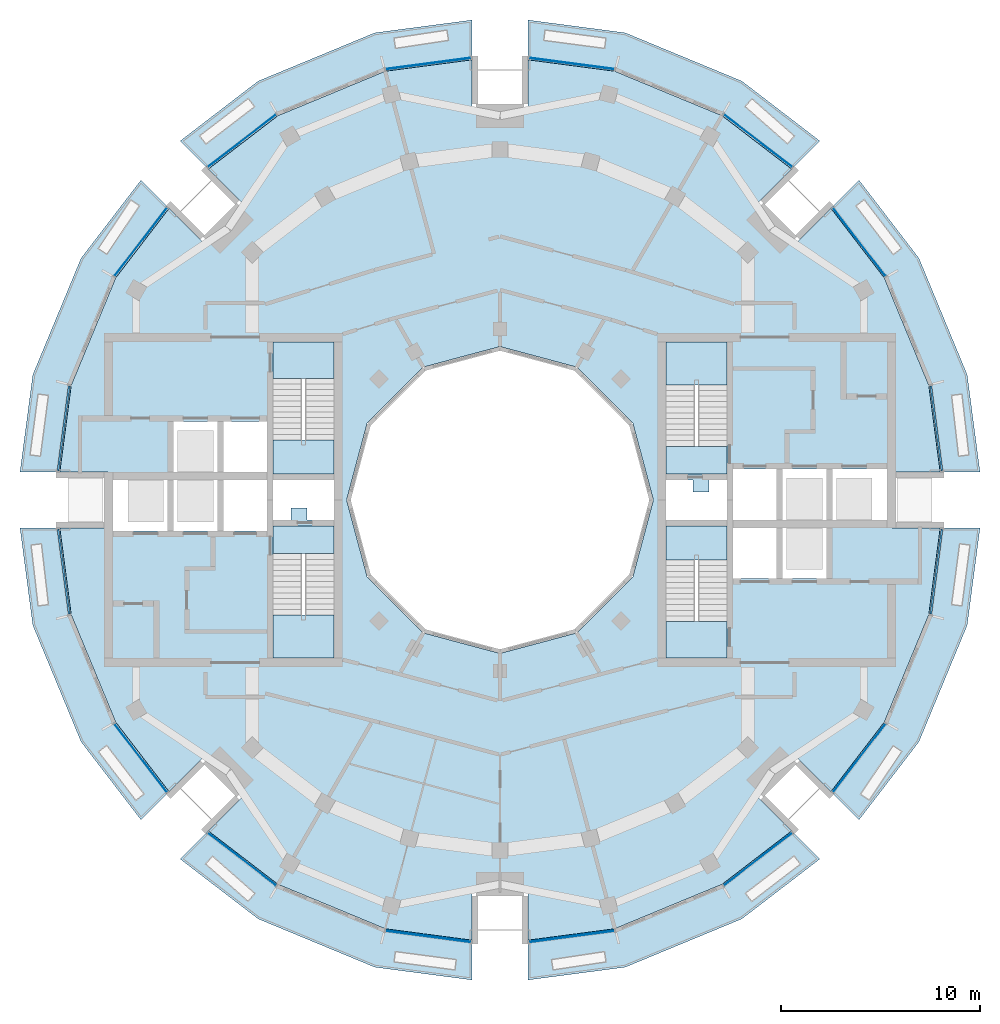
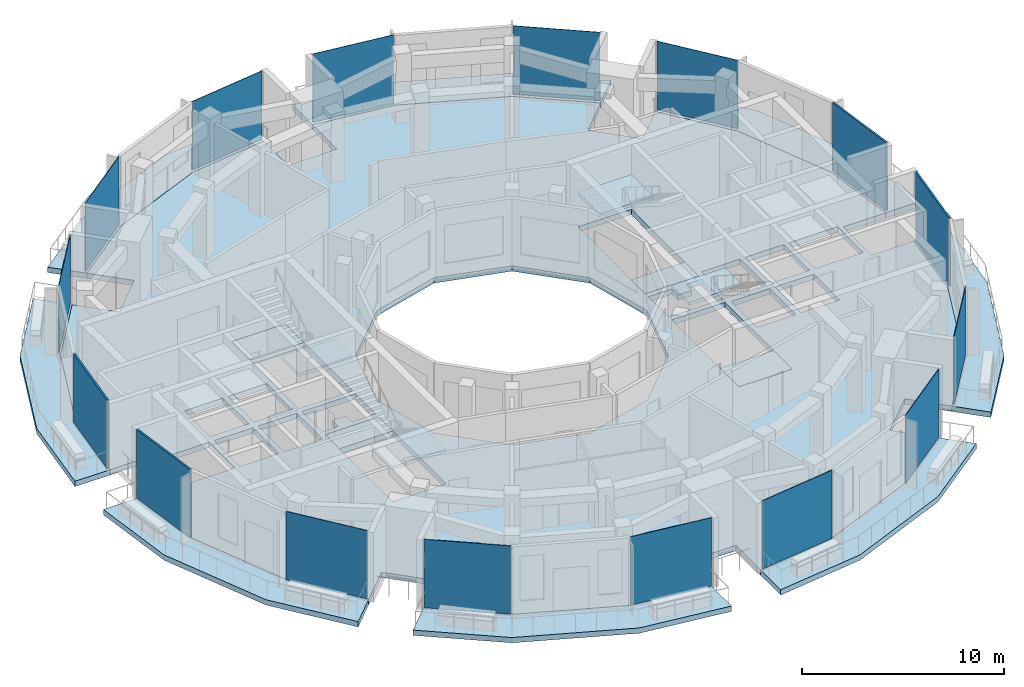
# One storey, part 7 of 16: 17 slabs, 16 plates, 20 elements without a shape of their own.
"""IFC4 building model written with IfcOpenShell, lengths in metres."""

from ifc_helpers import new_model, si_unit, direction, frame, origin, origin_2d, place, context, subcontext, project, spatial, polyline, rectangle, outline, extrude, material, layer, layer_set, type_object, element, aggregate, save


model = new_model("IFC4")

# Units and contexts
model_context = context("Model", 3, precision=1e-05, world=origin(), true_north=direction((0.0, 1.0)))
body_context = subcontext(model_context, "Body", "Model", "MODEL_VIEW")
ifc_project = project(units=[si_unit("LENGTHUNIT", "METRE"), si_unit("AREAUNIT", "SQUARE_METRE"), si_unit("VOLUMEUNIT", "CUBIC_METRE"), si_unit("PLANEANGLEUNIT", "RADIAN"), si_unit("MASSUNIT", "GRAM", prefix="KILO")], contexts=[model_context])

# Site, building, storey
site_placement = place(None, origin())
site = spatial("IfcSite", under=ifc_project, at=site_placement, CompositionType="ELEMENT")
building_placement = place(site_placement, origin())
building = spatial("IfcBuilding", under=site, at=building_placement, Name="Torre Brocal", CompositionType="ELEMENT")
storey_placement = place(building_placement, frame((0.0, 0.0, 292.5)))
storey = spatial("IfcBuildingStorey", under=building, at=storey_placement, Name="L67", CompositionType="ELEMENT", Elevation=292.5)

# Curtain wall, plate
ifc_material_1 = material(Name="Aluminium and glass", Category="aluminium")
ifc_layer_1 = layer(ifc_material_1, 0.199951171875)
ifc_layer_set_1 = layer_set([ifc_layer_1], Name="Aluminium and glass")
curtain_wall_type_1 = type_object("IfcCurtainWallType", Name="CW-1 CURTAIN WALL 4200 HIGH", PredefinedType="NOTDEFINED", material=ifc_layer_set_1)
curtain_wall_1_placement = place(storey_placement, origin())
curtain_wall_1 = element("IfcCurtainWall", 1, at=curtain_wall_1_placement, inside=storey, type_object=curtain_wall_type_1, Name="CW-1 RUN 3", PredefinedType="NOTDEFINED")
ifc_material_2 = material(Name="Glass, dark tinted laminated", Category="glass")
ifc_layer_2 = layer(ifc_material_2, 0.031982421875)
ifc_layer_set_2 = layer_set([ifc_layer_2], Name="Glass, dark tinted laminated")
plate_type_1 = type_object("IfcPlateType", Name="CW-1 GLASS PANEL 32", PredefinedType="CURTAIN_PANEL", material=ifc_layer_set_2)
plate_1_placement = place(storey_placement, frame((98.048095703125, 87.958984375, 0.079833984375), z_axis=(0.0, 0.0, 1.0), x_axis=(-0.608761429064, 0.793353340249, 0.0)))
plate_1 = element("IfcPlate", 2, at=plate_1_placement, type_object=plate_type_1, Name="CW1-5 panel 1.1", PredefinedType="CURTAIN_PANEL", context=body_context, shape_type="SweptSolid", body=[
    extrude(rectangle(XDim=4.315185546875, YDim=0.031982421875, at=origin_2d()), origin(), (0.0, 0.0, 1.0), 4.1201171875),
])
aggregate(curtain_wall_1, [plate_1])

curtain_wall_2_placement = place(storey_placement, origin())
curtain_wall_2 = element("IfcCurtainWall", 3, at=curtain_wall_2_placement, inside=storey, type_object=curtain_wall_type_1, Name="CW-1 RUN 4", PredefinedType="NOTDEFINED")
plate_2_placement = place(storey_placement, frame((92.958984375, 93.048095703125, 0.079833984375), z_axis=(0.0, 0.0, 1.0), x_axis=(-0.793353340249, 0.608761429064, 0.0)))
plate_2 = element("IfcPlate", 4, at=plate_2_placement, type_object=plate_type_1, Name="CW1-5 panel 1.1", PredefinedType="CURTAIN_PANEL", context=body_context, shape_type="SweptSolid", body=[
    extrude(rectangle(XDim=4.315185546875, YDim=0.031982421875, at=origin_2d()), origin(), (0.0, 0.0, 1.0), 4.1201171875),
])
aggregate(curtain_wall_2, [plate_2])

curtain_wall_3_placement = place(storey_placement, origin())
curtain_wall_3 = element("IfcCurtainWall", 5, at=curtain_wall_3_placement, inside=storey, type_object=curtain_wall_type_1, Name="CW-1 RUN 6", PredefinedType="NOTDEFINED")
plate_3_placement = place(storey_placement, frame((83.5986328125, 96.92529296875, 0.079833984375), z_axis=(0.0, 0.0, 1.0), x_axis=(-0.991444861374, 0.13052619222, 0.0)))
plate_3 = element("IfcPlate", 6, at=plate_3_placement, type_object=plate_type_1, Name="CW1-5 panel 1.1", PredefinedType="CURTAIN_PANEL", context=body_context, shape_type="SweptSolid", body=[
    extrude(rectangle(XDim=4.315185546875, YDim=0.031982421875, at=origin_2d()), origin(), (0.0, 0.0, 1.0), 4.1201171875),
])
aggregate(curtain_wall_3, [plate_3])

curtain_wall_4_placement = place(storey_placement, origin())
curtain_wall_4 = element("IfcCurtainWall", 7, at=curtain_wall_4_placement, inside=storey, type_object=curtain_wall_type_1, Name="CW-1 RUN 7", PredefinedType="NOTDEFINED")
plate_4_placement = place(storey_placement, frame((76.4013671875, 96.92529296875, 0.079833984375), z_axis=(0.0, 0.0, 1.0), x_axis=(-0.991444861374, -0.13052619222, 0.0)))
plate_4 = element("IfcPlate", 8, at=plate_4_placement, type_object=plate_type_1, Name="CW1-5 panel 1.1", PredefinedType="CURTAIN_PANEL", context=body_context, shape_type="SweptSolid", body=[
    extrude(rectangle(XDim=4.315185546875, YDim=0.031982421875, at=origin_2d()), origin(), (0.0, 0.0, 1.0), 4.1201171875),
])
aggregate(curtain_wall_4, [plate_4])

curtain_wall_5_placement = place(storey_placement, origin())
curtain_wall_5 = element("IfcCurtainWall", 9, at=curtain_wall_5_placement, inside=storey, type_object=curtain_wall_type_1, Name="CW-1 RUN 9", PredefinedType="NOTDEFINED")
plate_5_placement = place(storey_placement, frame((67.041015625, 93.048095703125, 0.079833984375), z_axis=(0.0, 0.0, 1.0), x_axis=(-0.793353340249, -0.608761429064, 0.0)))
plate_5 = element("IfcPlate", 10, at=plate_5_placement, type_object=plate_type_1, Name="CW1-5 panel 1.1", PredefinedType="CURTAIN_PANEL", context=body_context, shape_type="SweptSolid", body=[
    extrude(rectangle(XDim=4.315185546875, YDim=0.031982421875, at=origin_2d()), origin(), (0.0, 0.0, 1.0), 4.1201171875),
])
aggregate(curtain_wall_5, [plate_5])

curtain_wall_6_placement = place(storey_placement, origin())
curtain_wall_6 = element("IfcCurtainWall", 11, at=curtain_wall_6_placement, inside=storey, type_object=curtain_wall_type_1, Name="CW-1 RUN 10", PredefinedType="NOTDEFINED")
plate_6_placement = place(storey_placement, frame((61.951904296875, 87.958984375, 0.079833984375), z_axis=(0.0, 0.0, 1.0), x_axis=(-0.608761429064, -0.793353340249, 0.0)))
plate_6 = element("IfcPlate", 12, at=plate_6_placement, type_object=plate_type_1, Name="CW1-5 panel 1.1", PredefinedType="CURTAIN_PANEL", context=body_context, shape_type="SweptSolid", body=[
    extrude(rectangle(XDim=4.315185546875, YDim=0.031982421875, at=origin_2d()), origin(), (0.0, 0.0, 1.0), 4.1201171875),
])
aggregate(curtain_wall_6, [plate_6])

curtain_wall_7_placement = place(storey_placement, origin())
curtain_wall_7 = element("IfcCurtainWall", 13, at=curtain_wall_7_placement, inside=storey, type_object=curtain_wall_type_1, Name="CW-1 RUN 15", PredefinedType="NOTDEFINED")
plate_7_placement = place(storey_placement, frame((61.951904296875, 62.041015625, 0.079833984375), z_axis=(0.0, 0.0, 1.0), x_axis=(0.608761429064, -0.793353340249, 0.0)))
plate_7 = element("IfcPlate", 14, at=plate_7_placement, type_object=plate_type_1, Name="CW1-5 panel 1.1", PredefinedType="CURTAIN_PANEL", context=body_context, shape_type="SweptSolid", body=[
    extrude(rectangle(XDim=4.315185546875, YDim=0.031982421875, at=origin_2d()), origin(), (0.0, 0.0, 1.0), 4.1201171875),
])
aggregate(curtain_wall_7, [plate_7])

curtain_wall_8_placement = place(storey_placement, origin())
curtain_wall_8 = element("IfcCurtainWall", 15, at=curtain_wall_8_placement, inside=storey, type_object=curtain_wall_type_1, Name="CW-1 RUN 16", PredefinedType="NOTDEFINED")
plate_8_placement = place(storey_placement, frame((67.041015625, 56.951904296875, 0.079833984375), z_axis=(0.0, 0.0, 1.0), x_axis=(0.793353340249, -0.608761429064, 0.0)))
plate_8 = element("IfcPlate", 16, at=plate_8_placement, type_object=plate_type_1, Name="CW1-5 panel 1.1", PredefinedType="CURTAIN_PANEL", context=body_context, shape_type="SweptSolid", body=[
    extrude(rectangle(XDim=4.315185546875, YDim=0.031982421875, at=origin_2d()), origin(), (0.0, 0.0, 1.0), 4.1201171875),
])
aggregate(curtain_wall_8, [plate_8])

curtain_wall_9_placement = place(storey_placement, origin())
curtain_wall_9 = element("IfcCurtainWall", 17, at=curtain_wall_9_placement, inside=storey, type_object=curtain_wall_type_1, Name="CW-1 RUN 18", PredefinedType="NOTDEFINED")
plate_9_placement = place(storey_placement, frame((76.4013671875, 53.07470703125, 0.079833984375), z_axis=(0.0, 0.0, 1.0), x_axis=(0.991444861374, -0.13052619222, 0.0)))
plate_9 = element("IfcPlate", 18, at=plate_9_placement, type_object=plate_type_1, Name="CW1-5 panel 1.1", PredefinedType="CURTAIN_PANEL", context=body_context, shape_type="SweptSolid", body=[
    extrude(rectangle(XDim=4.315185546875, YDim=0.031982421875, at=origin_2d()), origin(), (0.0, 0.0, 1.0), 4.1201171875),
])
aggregate(curtain_wall_9, [plate_9])

curtain_wall_10_placement = place(storey_placement, origin())
curtain_wall_10 = element("IfcCurtainWall", 19, at=curtain_wall_10_placement, inside=storey, type_object=curtain_wall_type_1, Name="CW-1 RUN 19", PredefinedType="NOTDEFINED")
plate_10_placement = place(storey_placement, frame((83.5986328125, 53.07470703125, 0.079833984375), z_axis=(0.0, 0.0, 1.0), x_axis=(0.991444861374, 0.13052619222, 0.0)))
plate_10 = element("IfcPlate", 20, at=plate_10_placement, type_object=plate_type_1, Name="CW1-5 panel 1.1", PredefinedType="CURTAIN_PANEL", context=body_context, shape_type="SweptSolid", body=[
    extrude(rectangle(XDim=4.315185546875, YDim=0.031982421875, at=origin_2d()), origin(), (0.0, 0.0, 1.0), 4.1201171875),
])
aggregate(curtain_wall_10, [plate_10])

curtain_wall_11_placement = place(storey_placement, origin())
curtain_wall_11 = element("IfcCurtainWall", 21, at=curtain_wall_11_placement, inside=storey, type_object=curtain_wall_type_1, Name="CW-1 RUN 21", PredefinedType="NOTDEFINED")
plate_11_placement = place(storey_placement, frame((92.958984375, 56.951904296875, 0.079833984375), z_axis=(0.0, 0.0, 1.0), x_axis=(0.793353340249, 0.608761429064, 0.0)))
plate_11 = element("IfcPlate", 22, at=plate_11_placement, type_object=plate_type_1, Name="CW1-5 panel 1.1", PredefinedType="CURTAIN_PANEL", context=body_context, shape_type="SweptSolid", body=[
    extrude(rectangle(XDim=4.315185546875, YDim=0.031982421875, at=origin_2d()), origin(), (0.0, 0.0, 1.0), 4.1201171875),
])
aggregate(curtain_wall_11, [plate_11])

curtain_wall_12_placement = place(storey_placement, origin())
curtain_wall_12 = element("IfcCurtainWall", 23, at=curtain_wall_12_placement, inside=storey, type_object=curtain_wall_type_1, Name="CW-1 RUN 22", PredefinedType="NOTDEFINED")
plate_12_placement = place(storey_placement, frame((98.048095703125, 62.041015625, 0.079833984375), z_axis=(0.0, 0.0, 1.0), x_axis=(0.608761429064, 0.793353340249, 0.0)))
plate_12 = element("IfcPlate", 24, at=plate_12_placement, type_object=plate_type_1, Name="CW1-5 panel 1.1", PredefinedType="CURTAIN_PANEL", context=body_context, shape_type="SweptSolid", body=[
    extrude(rectangle(XDim=4.315185546875, YDim=0.031982421875, at=origin_2d()), origin(), (0.0, 0.0, 1.0), 4.1201171875),
])
aggregate(curtain_wall_12, [plate_12])

ifc_material_3 = material(Name="Aluminium and glass", Category="aluminium")
ifc_layer_3 = layer(ifc_material_3, 0.199951171875)
ifc_layer_set_3 = layer_set([ifc_layer_3], Name="Aluminium and glass")
curtain_wall_type_2 = type_object("IfcCurtainWallType", Name="CW-1B CURTAIN WALL 4200 HIGH", PredefinedType="NOTDEFINED", material=ifc_layer_set_3)
curtain_wall_13_placement = place(storey_placement, origin())
curtain_wall_13 = element("IfcCurtainWall", 25, at=curtain_wall_13_placement, inside=storey, type_object=curtain_wall_type_2, Name="CW-1B RUN 1", PredefinedType="NOTDEFINED")
ifc_material_4 = material(Name="Aluminium composite panel", Category="aluminium")
ifc_layer_4 = layer(ifc_material_4, 0.10009765625)
ifc_layer_set_4 = layer_set([ifc_layer_4], Name="Aluminium composite panel")
plate_type_2 = type_object("IfcPlateType", Name="CW-1B OPAQUE PANEL 100", PredefinedType="CURTAIN_PANEL", material=ifc_layer_set_4)
plate_13_placement = place(storey_placement, frame((101.92529296875, 78.5986328125, 0.079833984375), z_axis=(0.0, 0.0, 1.0), x_axis=(-0.13052619222, 0.991444861374, 0.0)))
plate_13 = element("IfcPlate", 26, at=plate_13_placement, type_object=plate_type_2, Name="CW1B-5 panel 1.1", PredefinedType="CURTAIN_PANEL", context=body_context, shape_type="SweptSolid", body=[
    extrude(rectangle(XDim=4.315185546875, YDim=0.10009765625, at=origin_2d()), origin(), (0.0, 0.0, 1.0), 4.1201171875),
])
aggregate(curtain_wall_13, [plate_13])

curtain_wall_14_placement = place(storey_placement, origin())
curtain_wall_14 = element("IfcCurtainWall", 27, at=curtain_wall_14_placement, inside=storey, type_object=curtain_wall_type_2, Name="CW-1B RUN 12", PredefinedType="NOTDEFINED")
plate_14_placement = place(storey_placement, frame((58.07470703125, 78.5986328125, 0.079833984375), z_axis=(0.0, 0.0, 1.0), x_axis=(-0.13052619222, -0.991444861374, 0.0)))
plate_14 = element("IfcPlate", 28, at=plate_14_placement, type_object=plate_type_2, Name="CW1B-5 panel 1.1", PredefinedType="CURTAIN_PANEL", context=body_context, shape_type="SweptSolid", body=[
    extrude(rectangle(XDim=4.315185546875, YDim=0.10009765625, at=origin_2d()), origin(), (0.0, 0.0, 1.0), 4.1201171875),
])
aggregate(curtain_wall_14, [plate_14])

curtain_wall_15_placement = place(storey_placement, origin())
curtain_wall_15 = element("IfcCurtainWall", 29, at=curtain_wall_15_placement, inside=storey, type_object=curtain_wall_type_2, Name="CW-1B RUN 13", PredefinedType="NOTDEFINED")
plate_15_placement = place(storey_placement, frame((58.07470703125, 71.4013671875, 0.079833984375), z_axis=(0.0, 0.0, 1.0), x_axis=(0.13052619222, -0.991444861374, 0.0)))
plate_15 = element("IfcPlate", 30, at=plate_15_placement, type_object=plate_type_2, Name="CW1B-5 panel 1.1", PredefinedType="CURTAIN_PANEL", context=body_context, shape_type="SweptSolid", body=[
    extrude(rectangle(XDim=4.315185546875, YDim=0.10009765625, at=origin_2d()), origin(), (0.0, 0.0, 1.0), 4.1201171875),
])
aggregate(curtain_wall_15, [plate_15])

curtain_wall_16_placement = place(storey_placement, origin())
curtain_wall_16 = element("IfcCurtainWall", 31, at=curtain_wall_16_placement, inside=storey, type_object=curtain_wall_type_2, Name="CW-1B RUN 24", PredefinedType="NOTDEFINED")
plate_16_placement = place(storey_placement, frame((101.92529296875, 71.4013671875, 0.079833984375), z_axis=(0.0, 0.0, 1.0), x_axis=(0.13052619222, 0.991444861374, 0.0)))
plate_16 = element("IfcPlate", 32, at=plate_16_placement, type_object=plate_type_2, Name="CW1B-5 panel 1.1", PredefinedType="CURTAIN_PANEL", context=body_context, shape_type="SweptSolid", body=[
    extrude(rectangle(XDim=4.315185546875, YDim=0.10009765625, at=origin_2d()), origin(), (0.0, 0.0, 1.0), 4.1201171875),
])
aggregate(curtain_wall_16, [plate_16])

# Stair, slab
ifc_material_5 = material(Name="Concrete C50", Category="concrete")
stair_type = type_object("IfcStairType", Name="EXIT STAIR", PredefinedType="HALF_TURN_STAIR", material=ifc_material_5)
stair_1_placement = place(storey_placement, origin())
stair_1 = element("IfcStair", 33, at=stair_1_placement, inside=storey, type_object=stair_type, Name="EXIT STAIR ST1", PredefinedType="HALF_TURN_STAIR")
ifc_material_6 = material(Name="Concrete C50", Category="concrete")
ifc_layer_5 = layer(ifc_material_6, 0.320068359375)
ifc_layer_set_5 = layer_set([ifc_layer_5], Name="Concrete C50")
slab_type_1 = type_object("IfcSlabType", Name="FLOOR LANDING 320", PredefinedType="LANDING", material=ifc_layer_set_5)
slab_1_placement = place(storey_placement, frame((0.0, 0.0, -0.320068359375)))
slab_1 = element("IfcSlab", 34, at=slab_1_placement, type_object=slab_type_1, Name="ST1 landing 1", PredefinedType="LANDING", context=body_context, shape_type="SweptSolid", body=[
    extrude(outline(polyline([(88.35009765625, 76.300048828125), (91.39990234375, 76.300048828125), (91.39990234375, 77.699951171875), (88.35009765625, 77.699951171875), (88.35009765625, 76.300048828125)])), origin(), (0.0, 0.0, 1.0), 0.320068359375),
])

stair_2_placement = place(storey_placement, origin())
stair_2 = element("IfcStair", 35, at=stair_2_placement, inside=storey, type_object=stair_type, Name="EXIT STAIR ST2", PredefinedType="HALF_TURN_STAIR")
slab_2_placement = place(storey_placement, frame((0.0, 0.0, -0.320068359375)))
slab_2 = element("IfcSlab", 36, at=slab_2_placement, type_object=slab_type_1, Name="ST2 landing 1", PredefinedType="LANDING", context=body_context, shape_type="SweptSolid", body=[
    extrude(outline(polyline([(88.35009765625, 67.050048828125), (91.39990234375, 67.050048828125), (91.39990234375, 68.89990234375), (88.35009765625, 68.89990234375), (88.35009765625, 67.050048828125)])), origin(), (0.0, 0.0, 1.0), 0.320068359375),
])

stair_3_placement = place(storey_placement, origin())
stair_3 = element("IfcStair", 37, at=stair_3_placement, inside=storey, type_object=stair_type, Name="EXIT STAIR ST3", PredefinedType="HALF_TURN_STAIR")
slab_3_placement = place(storey_placement, frame((0.0, 0.0, -0.320068359375)))
slab_3 = element("IfcSlab", 38, at=slab_3_placement, type_object=slab_type_1, Name="ST3 landing 1", PredefinedType="LANDING", context=body_context, shape_type="SweptSolid", body=[
    extrude(outline(polyline([(71.64990234375, 73.699951171875), (68.60009765625, 73.699951171875), (68.60009765625, 72.300048828125), (71.64990234375, 72.300048828125), (71.64990234375, 73.699951171875)])), origin(), (0.0, 0.0, 1.0), 0.320068359375),
])

stair_4_placement = place(storey_placement, origin())
stair_4 = element("IfcStair", 39, at=stair_4_placement, inside=storey, type_object=stair_type, Name="EXIT STAIR ST4", PredefinedType="HALF_TURN_STAIR")
slab_4_placement = place(storey_placement, frame((0.0, 0.0, -0.320068359375)))
slab_4 = element("IfcSlab", 40, at=slab_4_placement, type_object=slab_type_1, Name="ST4 landing 1", PredefinedType="LANDING", context=body_context, shape_type="SweptSolid", body=[
    extrude(outline(polyline([(71.64990234375, 82.949951171875), (68.60009765625, 82.949951171875), (68.60009765625, 81.10009765625), (71.64990234375, 81.10009765625), (71.64990234375, 82.949951171875)])), origin(), (0.0, 0.0, 1.0), 0.320068359375),
])

# Slab
ifc_material_7 = material(Name="Concrete C50", Category="concrete")
ifc_layer_6 = layer(ifc_material_7, 0.199951171875)
ifc_layer_set_6 = layer_set([ifc_layer_6], Name="Concrete C50")
slab_type_2 = type_object("IfcSlabType", Name="MID LANDING +2100", PredefinedType="LANDING", material=ifc_layer_set_6)
slab_5_placement = place(storey_placement, frame((0.0, 0.0, 1.89990234375)))
slab_5 = element("IfcSlab", 41, at=slab_5_placement, type_object=slab_type_2, Name="ST1 landing 2", PredefinedType="LANDING", context=body_context, shape_type="SweptSolid", body=[
    extrude(outline(polyline([(88.35009765625, 80.780029296875), (91.39990234375, 80.780029296875), (91.39990234375, 82.949951171875), (88.35009765625, 82.949951171875), (88.35009765625, 80.780029296875)])), origin(), (0.0, 0.0, 1.0), 0.2001953125),
])

aggregate(stair_1, [slab_1, slab_5])

slab_6_placement = place(storey_placement, frame((0.0, 0.0, 1.89990234375)))
slab_6 = element("IfcSlab", 42, at=slab_6_placement, type_object=slab_type_2, Name="ST2 landing 2", PredefinedType="LANDING", context=body_context, shape_type="SweptSolid", body=[
    extrude(outline(polyline([(88.35009765625, 71.97998046875), (91.39990234375, 71.97998046875), (91.39990234375, 73.699951171875), (88.35009765625, 73.699951171875), (88.35009765625, 71.97998046875)])), origin(), (0.0, 0.0, 1.0), 0.2001953125),
])

aggregate(stair_2, [slab_2, slab_6])

slab_7_placement = place(storey_placement, frame((0.0, 0.0, 1.89990234375)))
slab_7 = element("IfcSlab", 43, at=slab_7_placement, type_object=slab_type_2, Name="ST3 landing 2", PredefinedType="LANDING", context=body_context, shape_type="SweptSolid", body=[
    extrude(outline(polyline([(71.64990234375, 69.219970703125), (68.60009765625, 69.219970703125), (68.60009765625, 67.050048828125), (71.64990234375, 67.050048828125), (71.64990234375, 69.219970703125)])), origin(), (0.0, 0.0, 1.0), 0.2001953125),
])

aggregate(stair_3, [slab_3, slab_7])

slab_8_placement = place(storey_placement, frame((0.0, 0.0, 1.89990234375)))
slab_8 = element("IfcSlab", 44, at=slab_8_placement, type_object=slab_type_2, Name="ST4 landing 2", PredefinedType="LANDING", context=body_context, shape_type="SweptSolid", body=[
    extrude(outline(polyline([(71.64990234375, 78.02001953125), (68.60009765625, 78.02001953125), (68.60009765625, 76.300048828125), (71.64990234375, 76.300048828125), (71.64990234375, 78.02001953125)])), origin(), (0.0, 0.0, 1.0), 0.2001953125),
])

aggregate(stair_4, [slab_4, slab_8])

# Slabs
ifc_material_8 = material(Name="Concrete C45", Category="concrete")
ifc_layer_7 = layer(ifc_material_8, 0.320068359375)
ifc_layer_set_7 = layer_set([ifc_layer_7], Name="Concrete C45")
slab_type_3 = type_object("IfcSlabType", Name="PT FLOOR SLAB 320 C45", PredefinedType="FLOOR", material=ifc_layer_set_7)
slab_9_placement = place(storey_placement, frame((0.0, 0.0, -0.320068359375)))
element("IfcSlab", 45, at=slab_9_placement, inside=storey, type_object=slab_type_3, Name="Slab ST-05", PredefinedType="FLOOR", context=body_context, shape_type="SweptSolid", body=[
    extrude(outline(polyline([(99.699951171875, 76.39990234375), (99.699951171875, 73.60009765625), (102.114013671875, 73.60009765625), (101.53857421875, 69.228759765625), (99.310791015625, 63.850830078125), (96.626953125, 60.35302734375), (94.919921875, 62.06005859375), (92.93994140625, 60.080078125), (94.64697265625, 58.373046875), (91.149169921875, 55.689208984375), (85.771240234375, 53.46142578125), (81.39990234375, 52.885986328125), (81.39990234375, 55.300048828125), (78.60009765625, 55.300048828125), (78.60009765625, 52.885986328125), (74.228759765625, 53.46142578125), (68.850830078125, 55.689208984375), (65.35302734375, 58.373046875), (67.06005859375, 60.080078125), (65.080078125, 62.06005859375), (63.373046875, 60.35302734375), (60.689208984375, 63.850830078125), (58.46142578125, 69.228759765625), (57.885986328125, 73.60009765625), (60.300048828125, 73.60009765625), (60.300048828125, 76.39990234375), (57.885986328125, 76.39990234375), (58.46142578125, 80.771240234375), (60.689208984375, 86.149169921875), (63.373046875, 89.64697265625), (65.080078125, 87.93994140625), (67.06005859375, 89.919921875), (65.35302734375, 91.626953125), (68.850830078125, 94.310791015625), (74.228759765625, 96.53857421875), (78.60009765625, 97.114013671875), (78.60009765625, 94.699951171875), (81.39990234375, 94.699951171875), (81.39990234375, 97.114013671875), (85.771240234375, 96.53857421875), (91.149169921875, 94.310791015625), (94.64697265625, 91.626953125), (92.93994140625, 89.919921875), (94.919921875, 87.93994140625), (96.626953125, 89.64697265625), (99.310791015625, 86.149169921875), (101.53857421875, 80.771240234375), (102.114013671875, 76.39990234375), (99.699951171875, 76.39990234375)]), holes=[polyline([(99.449951171875, 76.550048828125), (96.699951171875, 76.550048828125), (96.699951171875, 74.0), (99.449951171875, 74.0), (99.449951171875, 76.550048828125)]), polyline([(96.39990234375, 76.550048828125), (94.199951171875, 76.550048828125), (94.199951171875, 74.0), (96.39990234375, 74.0), (96.39990234375, 76.550048828125)]), polyline([(96.39990234375, 73.60009765625), (94.199951171875, 73.60009765625), (94.199951171875, 71.050048828125), (96.39990234375, 71.050048828125), (96.39990234375, 73.60009765625)]), polyline([(93.89990234375, 76.550048828125), (91.699951171875, 76.550048828125), (91.699951171875, 74.0), (93.89990234375, 74.0), (93.89990234375, 76.550048828125)]), polyline([(93.89990234375, 73.60009765625), (91.699951171875, 73.60009765625), (91.699951171875, 71.050048828125), (93.89990234375, 71.050048828125), (93.89990234375, 73.60009765625)]), polyline([(89.699951171875, 76.0), (88.35009765625, 76.0), (88.35009765625, 74.0), (91.39990234375, 74.0), (91.39990234375, 76.0), (90.5, 76.0), (90.5, 75.39990234375), (89.699951171875, 75.39990234375), (89.699951171875, 76.0)]), polyline([(91.39990234375, 82.949951171875), (88.35009765625, 82.949951171875), (88.35009765625, 76.300048828125), (91.39990234375, 76.300048828125), (91.39990234375, 82.949951171875)]), polyline([(91.39990234375, 73.699951171875), (88.35009765625, 73.699951171875), (88.35009765625, 67.050048828125), (91.39990234375, 67.050048828125), (91.39990234375, 73.699951171875)]), polyline([(80.0, 82.70703125), (76.146484375, 81.674560546875), (73.325439453125, 78.853515625), (72.29296875, 75.0), (73.325439453125, 71.146484375), (76.146484375, 68.325439453125), (80.0, 67.29296875), (83.853515625, 68.325439453125), (86.674560546875, 71.146484375), (87.70703125, 75.0), (86.674560546875, 78.853515625), (83.853515625, 81.674560546875), (80.0, 82.70703125)]), polyline([(70.300048828125, 74.0), (71.64990234375, 74.0), (71.64990234375, 76.0), (68.60009765625, 76.0), (68.60009765625, 74.0), (69.5, 74.0), (69.5, 74.60009765625), (70.300048828125, 74.60009765625), (70.300048828125, 74.0)]), polyline([(68.60009765625, 76.300048828125), (71.64990234375, 76.300048828125), (71.64990234375, 82.949951171875), (68.60009765625, 82.949951171875), (68.60009765625, 76.300048828125)]), polyline([(68.60009765625, 67.050048828125), (71.64990234375, 67.050048828125), (71.64990234375, 73.699951171875), (68.60009765625, 73.699951171875), (68.60009765625, 67.050048828125)]), polyline([(66.10009765625, 76.39990234375), (68.300048828125, 76.39990234375), (68.300048828125, 78.949951171875), (66.10009765625, 78.949951171875), (66.10009765625, 76.39990234375)]), polyline([(66.10009765625, 73.449951171875), (68.300048828125, 73.449951171875), (68.300048828125, 76.0), (66.10009765625, 76.0), (66.10009765625, 73.449951171875)]), polyline([(63.60009765625, 76.39990234375), (65.800048828125, 76.39990234375), (65.800048828125, 78.949951171875), (63.60009765625, 78.949951171875), (63.60009765625, 76.39990234375)]), polyline([(63.60009765625, 73.449951171875), (65.800048828125, 73.449951171875), (65.800048828125, 76.0), (63.60009765625, 76.0), (63.60009765625, 73.449951171875)]), polyline([(60.550048828125, 73.449951171875), (63.300048828125, 73.449951171875), (63.300048828125, 76.0), (60.550048828125, 76.0), (60.550048828125, 73.449951171875)])]), origin(), (0.0, 0.0, 1.0), 0.320068359375),
])
ifc_material_9 = material(Name="Concrete C45", Category="concrete")
ifc_layer_8 = layer(ifc_material_9, 0.320068359375)
ifc_layer_set_8 = layer_set([ifc_layer_8], Name="Concrete C45")
slab_type_4 = type_object("IfcSlabType", Name="PT TERRACE SLAB 320 C45", PredefinedType="ROOF", material=ifc_layer_set_8)
slab_10_placement = place(storey_placement, frame((0.0, 0.0, -0.320068359375)))
element("IfcSlab", 46, at=slab_10_placement, inside=storey, type_object=slab_type_4, Name="Slab ST-06", PredefinedType="ROOF", context=body_context, shape_type="SweptSolid", body=[
    extrude(outline(polyline([(74.228759765625, 53.46142578125), (78.60009765625, 52.885986328125), (78.60009765625, 50.885986328125), (73.711181640625, 51.52978515625), (67.850830078125, 53.95703125), (63.938720703125, 56.958984375), (65.35302734375, 58.373046875), (68.850830078125, 55.689208984375), (74.228759765625, 53.46142578125)])), origin(), (0.0, 0.0, 1.0), 0.320068359375),
])
slab_11_placement = place(storey_placement, frame((0.0, 0.0, -0.320068359375)))
element("IfcSlab", 47, at=slab_11_placement, inside=storey, type_object=slab_type_4, Name="Slab ST-06", PredefinedType="ROOF", context=body_context, shape_type="SweptSolid", body=[
    extrude(outline(polyline([(91.149169921875, 55.689208984375), (94.64697265625, 58.373046875), (96.061279296875, 56.958984375), (92.149169921875, 53.95703125), (86.288818359375, 51.52978515625), (81.39990234375, 50.885986328125), (81.39990234375, 52.885986328125), (85.771240234375, 53.46142578125), (91.149169921875, 55.689208984375)])), origin(), (0.0, 0.0, 1.0), 0.320068359375),
])
slab_12_placement = place(storey_placement, frame((0.0, 0.0, -0.320068359375)))
element("IfcSlab", 48, at=slab_12_placement, inside=storey, type_object=slab_type_4, Name="Slab ST-06", PredefinedType="ROOF", context=body_context, shape_type="SweptSolid", body=[
    extrude(outline(polyline([(58.46142578125, 69.228759765625), (60.689208984375, 63.850830078125), (63.373046875, 60.35302734375), (61.958984375, 58.938720703125), (58.95703125, 62.850830078125), (56.52978515625, 68.711181640625), (55.885986328125, 73.60009765625), (57.885986328125, 73.60009765625), (58.46142578125, 69.228759765625)])), origin(), (0.0, 0.0, 1.0), 0.320068359375),
])
slab_13_placement = place(storey_placement, frame((0.0, 0.0, -0.320068359375)))
element("IfcSlab", 49, at=slab_13_placement, inside=storey, type_object=slab_type_4, Name="Slab ST-06", PredefinedType="ROOF", context=body_context, shape_type="SweptSolid", body=[
    extrude(outline(polyline([(101.53857421875, 69.228759765625), (102.114013671875, 73.60009765625), (104.114013671875, 73.60009765625), (103.47021484375, 68.711181640625), (101.04296875, 62.850830078125), (98.041015625, 58.938720703125), (96.626953125, 60.35302734375), (99.310791015625, 63.850830078125), (101.53857421875, 69.228759765625)])), origin(), (0.0, 0.0, 1.0), 0.320068359375),
])
slab_14_placement = place(storey_placement, frame((0.0, 0.0, -0.320068359375)))
element("IfcSlab", 50, at=slab_14_placement, inside=storey, type_object=slab_type_4, Name="Slab ST-06", PredefinedType="ROOF", context=body_context, shape_type="SweptSolid", body=[
    extrude(outline(polyline([(60.689208984375, 86.149169921875), (58.46142578125, 80.771240234375), (57.885986328125, 76.39990234375), (55.885986328125, 76.39990234375), (56.52978515625, 81.288818359375), (58.95703125, 87.149169921875), (61.958984375, 91.061279296875), (63.373046875, 89.64697265625), (60.689208984375, 86.149169921875)])), origin(), (0.0, 0.0, 1.0), 0.320068359375),
])
slab_15_placement = place(storey_placement, frame((0.0, 0.0, -0.320068359375)))
element("IfcSlab", 51, at=slab_15_placement, inside=storey, type_object=slab_type_4, Name="Slab ST-06", PredefinedType="ROOF", context=body_context, shape_type="SweptSolid", body=[
    extrude(outline(polyline([(98.041015625, 91.061279296875), (101.04296875, 87.149169921875), (103.47021484375, 81.288818359375), (104.114013671875, 76.39990234375), (102.114013671875, 76.39990234375), (101.53857421875, 80.771240234375), (99.310791015625, 86.149169921875), (96.626953125, 89.64697265625), (98.041015625, 91.061279296875)])), origin(), (0.0, 0.0, 1.0), 0.320068359375),
])
slab_16_placement = place(storey_placement, frame((0.0, 0.0, -0.320068359375)))
element("IfcSlab", 52, at=slab_16_placement, inside=storey, type_object=slab_type_4, Name="Slab ST-06", PredefinedType="ROOF", context=body_context, shape_type="SweptSolid", body=[
    extrude(outline(polyline([(63.938720703125, 93.041015625), (67.850830078125, 96.04296875), (73.711181640625, 98.47021484375), (78.60009765625, 99.114013671875), (78.60009765625, 97.114013671875), (74.228759765625, 96.53857421875), (68.850830078125, 94.310791015625), (65.35302734375, 91.626953125), (63.938720703125, 93.041015625)])), origin(), (0.0, 0.0, 1.0), 0.320068359375),
])
slab_17_placement = place(storey_placement, frame((0.0, 0.0, -0.320068359375)))
element("IfcSlab", 53, at=slab_17_placement, inside=storey, type_object=slab_type_4, Name="Slab ST-06", PredefinedType="ROOF", context=body_context, shape_type="SweptSolid", body=[
    extrude(outline(polyline([(91.149169921875, 94.310791015625), (85.771240234375, 96.53857421875), (81.39990234375, 97.114013671875), (81.39990234375, 99.114013671875), (86.288818359375, 98.47021484375), (92.149169921875, 96.04296875), (96.061279296875, 93.041015625), (94.64697265625, 91.626953125), (91.149169921875, 94.310791015625)])), origin(), (0.0, 0.0, 1.0), 0.320068359375),
])

save(model, "model.ifc")
